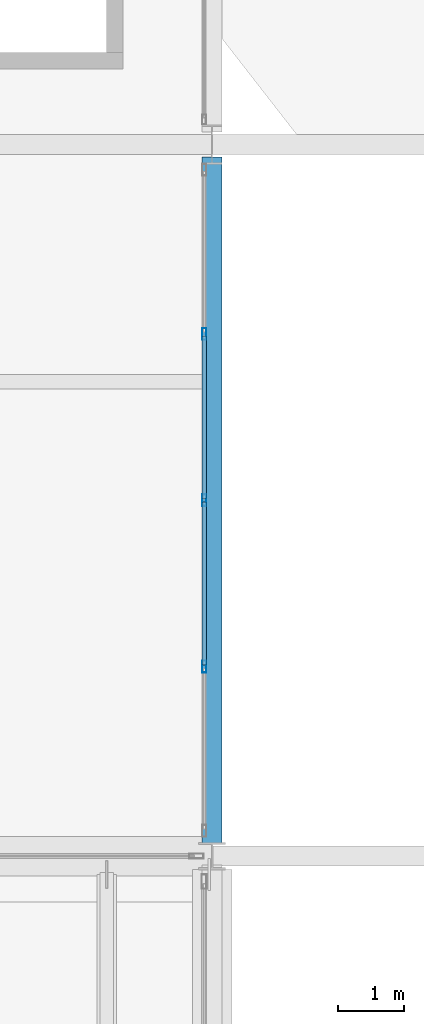
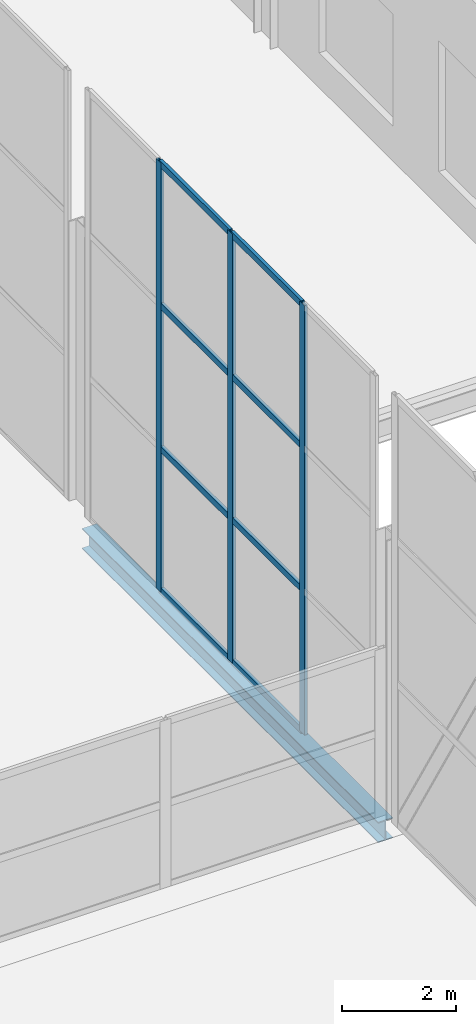
# One storey, part 113 of 191: 11 members, 1 beam, 1 element without a shape of its own.
"""IFC4 building model written with IfcOpenShell, lengths in metres."""

import ifcopenshell
import ifcopenshell.guid

model = None  # the IFC model being written
_history = None  # IfcOwnerHistory: only IFC2X3 demands one
_inside = {}  # id of a spatial element -> (the spatial element, [elements in it])
_under = {}  # id of a project, library or spatial element -> (it, [spatial elements below it])
_declared = {}  # id of a project -> (the project, [libraries it declares])
_typed = {}  # id of a type object -> (the type object, [elements of that type])
_made_of = {}  # id of a material, layer set ... -> (it, [elements and type objects made of it])


def new_model(schema):
    """Start an empty IFC model of exactly this schema.

    Asked for "IFC4X3", IfcOpenShell would pick the latest addendum, in which some entities
    have other attributes; the version numbers below select the first issue.
    IFC2X3 requires an IfcOwnerHistory on every rooted entity: one is made here for all.
    """
    global model, _history
    if schema == "IFC4X3":
        model = ifcopenshell.file(schema_version=(4, 3, 0, 0))
    else:
        model = ifcopenshell.file(schema=schema)
    _inside.clear()
    _under.clear()
    _declared.clear()
    _typed.clear()
    _made_of.clear()
    _history = None
    if model.schema == "IFC2X3":
        org = make("IfcOrganization", Name="unknown")
        user = make(
            "IfcPersonAndOrganization",
            ThePerson=make("IfcPerson", FamilyName="unknown"),
            TheOrganization=org,
        )
        app = make(
            "IfcApplication",
            ApplicationDeveloper=org,
            Version="unknown",
            ApplicationFullName="unknown",
            ApplicationIdentifier="unknown",
        )
        _history = make(
            "IfcOwnerHistory",
            OwningUser=user,
            OwningApplication=app,
            ChangeAction="ADDED",
            CreationDate=0,
        )
    return model


def make(cls, **values):
    """One entity of the class cls with the attributes given. An attribute that is None is left unset."""
    return model.create_entity(
        cls, **{name: value for name, value in values.items() if value is not None}
    )


def rooted(cls, **values):
    """An entity with a GlobalId (a new one), such as an element, a storey or a relation."""
    return make(cls, GlobalId=ifcopenshell.guid.new(), OwnerHistory=_history, **values)


def si_unit(unit_type, name, prefix=None):
    """IfcSIUnit, for example si_unit("LENGTHUNIT", "METRE", prefix="MILLI")."""
    return make("IfcSIUnit", UnitType=unit_type, Prefix=prefix, Name=name)


def assignment(units):
    """IfcUnitAssignment: the units of a project."""
    return None if units is None else make("IfcUnitAssignment", Units=units)


def point(xyz):
    """IfcCartesianPoint."""
    return None if xyz is None else make("IfcCartesianPoint", Coordinates=xyz)


def direction(xyz):
    """IfcDirection."""
    return None if xyz is None else make("IfcDirection", DirectionRatios=xyz)


def frame(location, z_axis=None, x_axis=None):
    """IfcAxis2Placement3D, a coordinate frame: its origin and axes. An axis left out is left unset."""
    return make(
        "IfcAxis2Placement3D",
        Location=point(location),
        Axis=direction(z_axis),
        RefDirection=direction(x_axis),
    )


def frame_2d(location, x_axis=None):
    """IfcAxis2Placement2D, a coordinate frame in the plane: its origin and x axis."""
    return make(
        "IfcAxis2Placement2D", Location=point(location), RefDirection=direction(x_axis)
    )


def origin():
    """The frame at (0, 0, 0) with its axes left unset."""
    return frame((0.0, 0.0, 0.0))


def origin_2d():
    """The frame at (0, 0) in the plane with its x axis left unset."""
    return frame_2d((0.0, 0.0))


def place(relative_to, where):
    """IfcLocalPlacement: puts the frame where relative to a parent placement (None: the world)."""
    return make(
        "IfcLocalPlacement", PlacementRelTo=relative_to, RelativePlacement=where
    )


def context(
    kind, dimensions, precision=None, world=None, true_north=None, identifier=None
):
    """IfcGeometricRepresentationContext, for example the 3D "Model" context."""
    return make(
        "IfcGeometricRepresentationContext",
        ContextIdentifier=identifier,
        ContextType=kind,
        CoordinateSpaceDimension=dimensions,
        Precision=precision,
        WorldCoordinateSystem=world,
        TrueNorth=true_north,
    )


def subcontext(parent, identifier, kind, view, scale=None):
    """IfcGeometricRepresentationSubContext, for example "Body" below "Model"."""
    return make(
        "IfcGeometricRepresentationSubContext",
        ContextIdentifier=identifier,
        ContextType=kind,
        ParentContext=parent,
        TargetScale=scale,
        TargetView=view,
    )


def project(units=None, contexts=None):
    """IfcProject with its units and contexts."""
    return rooted(
        "IfcProject",
        Name="project",
        RepresentationContexts=contexts,
        UnitsInContext=assignment(units),
    )


def spatial(cls, under=None, at=None, **own):
    """A site, building, storey or space (cls), placed at a placement, below another one or the project."""
    s = rooted(cls, ObjectPlacement=at, **own)
    if under is not None:
        _under.setdefault(under.id(), (under, []))[1].append(s)
    return s


def profile(cls, at=None, kind="AREA", **sizes):
    """A parametric profile (cls). Its sizes go by their IFC names, for example OverallWidth=200.0."""
    return make(cls, ProfileType=kind, Position=at, **sizes)


def hollow_rectangle(**sizes):
    """IfcRectangleHollowProfileDef."""
    return profile("IfcRectangleHollowProfileDef", **sizes)


def i_section(**sizes):
    """IfcIShapeProfileDef."""
    return profile("IfcIShapeProfileDef", **sizes)


def extrude(swept, where, along, depth):
    """IfcExtrudedAreaSolid: the profile swept, set in the frame where, extruded along a direction by depth."""
    return make(
        "IfcExtrudedAreaSolid",
        SweptArea=swept,
        Position=where,
        ExtrudedDirection=direction(along),
        Depth=depth,
    )


def shape(context_of_items, identifier, shape_type, items):
    """IfcShapeRepresentation: the items that make up one representation, for example the "Body"."""
    return make(
        "IfcShapeRepresentation",
        ContextOfItems=context_of_items,
        RepresentationIdentifier=identifier,
        RepresentationType=shape_type,
        Items=items,
    )


def material(Name=None, Category=None):
    """IfcMaterial."""
    return make("IfcMaterial", Name=Name, Category=Category)


def layer(
    of_material, thickness, ventilated=None, Name=None, Category=None, Priority=None
):
    """IfcMaterialLayer: one layer of a wall or slab, of a material (None: an air gap)."""
    return make(
        "IfcMaterialLayer",
        Material=of_material,
        LayerThickness=thickness,
        IsVentilated=ventilated,
        Name=Name,
        Category=Category,
        Priority=Priority,
    )


def layer_set(layers, Name=None):
    """IfcMaterialLayerSet."""
    return make("IfcMaterialLayerSet", MaterialLayers=layers, LayerSetName=Name)


def material_profile(
    of_material, cross_section, Name=None, Category=None, Priority=None
):
    """IfcMaterialProfile: a cross section and its material."""
    return make(
        "IfcMaterialProfile",
        Name=Name,
        Material=of_material,
        Profile=cross_section,
        Priority=Priority,
        Category=Category,
    )


def profile_set(profiles, Name=None, composite=None):
    """IfcMaterialProfileSet."""
    return make(
        "IfcMaterialProfileSet",
        Name=Name,
        MaterialProfiles=profiles,
        CompositeProfile=composite,
    )


def made_of(thing, what):
    """Note that an element or type object is made of a material, layer set ...; save() writes the relation."""
    if what is not None:
        _made_of.setdefault(what.id(), (what, []))[1].append(thing)
    return thing


def type_object(cls, material=None, **own):
    """A type object (cls), such as IfcWallType, which elements share."""
    return made_of(rooted(cls, **own), material)


def element(
    cls,
    number,
    at=None,
    inside=None,
    cuts=None,
    type_object=None,
    material=None,
    context=None,
    identifier="Body",
    shape_type=None,
    held_by="IfcProductDefinitionShape",
    body=None,
    shapes=None,
    **own,
):
    """One element of the class cls, such as IfcWall. Its Tag is "e" and its number.

    at: its placement. inside: the storey or other place that contains it. cuts: it is an
    opening in that element (IfcRelVoidsElement). A single representation is given by context,
    identifier, shape_type and body (its items); several are given by shapes. held_by: the class
    of the entity that holds the representations. save() writes the other relations.
    """
    e = rooted(cls, Tag="e%d" % number, ObjectPlacement=at, **own)
    if body is not None:
        shapes = [shape(context, identifier, shape_type, body)]
    if shapes is not None:
        e.Representation = make(held_by, Representations=shapes)
    if inside is not None:
        _inside.setdefault(inside.id(), (inside, []))[1].append(e)
    if cuts is not None:
        rooted(
            "IfcRelVoidsElement", RelatingBuildingElement=cuts, RelatedOpeningElement=e
        )
    if type_object is not None:
        _typed.setdefault(type_object.id(), (type_object, []))[1].append(e)
    return made_of(e, material)


def aggregate(whole, parts):
    """IfcRelAggregates: a whole, such as a stair, and the parts it consists of."""
    return rooted("IfcRelAggregates", RelatingObject=whole, RelatedObjects=parts)


def save(model, path):
    """Write the relations noted so far, then the file.

    IfcRelAggregates (storeys below a building ...), IfcRelContainedInSpatialStructure (elements
    in a storey), IfcRelDefinesByType, IfcRelAssociatesMaterial and IfcRelDeclares: one each for
    every whole, place, type object, material and project.
    """
    for whole, parts in _under.values():
        aggregate(whole, parts)
    for where, things in _inside.values():
        rooted(
            "IfcRelContainedInSpatialStructure",
            RelatedElements=things,
            RelatingStructure=where,
        )
    for kind, things in _typed.values():
        rooted("IfcRelDefinesByType", RelatedObjects=things, RelatingType=kind)
    for what, things in _made_of.values():
        rooted("IfcRelAssociatesMaterial", RelatedObjects=things, RelatingMaterial=what)
    for by, libraries in _declared.values():
        rooted("IfcRelDeclares", RelatingContext=by, RelatedDefinitions=libraries)
    model.write(path)


model = new_model("IFC4")

# Units and contexts
model_context = context("Model", 3, precision=1e-05, world=origin(), true_north=direction((0.0, 1.0)))
body_context = subcontext(model_context, "Body", "Model", "MODEL_VIEW")
ifc_project = project(units=[si_unit("LENGTHUNIT", "METRE"), si_unit("AREAUNIT", "SQUARE_METRE"), si_unit("VOLUMEUNIT", "CUBIC_METRE"), si_unit("PLANEANGLEUNIT", "RADIAN"), si_unit("MASSUNIT", "GRAM", prefix="KILO")], contexts=[model_context])

# Site, building, storey
site_placement = place(None, origin())
site = spatial("IfcSite", under=ifc_project, at=site_placement, CompositionType="ELEMENT")
building_placement = place(site_placement, origin())
building = spatial("IfcBuilding", under=site, at=building_placement, Name="Tamarisk Ironworks Central Station", CompositionType="ELEMENT")
storey_placement = place(building_placement, frame((0.0, 0.0, 6.60009765625)))
storey = spatial("IfcBuildingStorey", under=building, at=storey_placement, Name="L01", CompositionType="ELEMENT", Elevation=6.60009765625)

# Beam
ifc_material_1 = material(Name="Structural steel S355J2", Category="steel")
ifc_material_profile_1 = material_profile(ifc_material_1, i_section(OverallWidth=0.300048828125, OverallDepth=0.43994140625, WebThickness=0.011474609375, FlangeThickness=0.02099609375, at=origin_2d()), Name="HEA 450")
ifc_profile_set_1 = profile_set([ifc_material_profile_1], Name="Structural steel S355J2")
beam_type = type_object("IfcBeamType", Name="BM-G06", PredefinedType="BEAM", material=ifc_profile_set_1)
beam_placement = place(storey_placement, frame((108.0, 79.400390625, -0.52001953125), z_axis=(0.0, 1.0, 0.0), x_axis=(-1.0, 0.0, 0.0)))
element("IfcBeam", 1, at=beam_placement, inside=storey, type_object=beam_type, Name="L01 primary girder Y-0236", PredefinedType="BEAM", context=body_context, shape_type="SweptSolid", body=[
    extrude(i_section(OverallWidth=0.300048828125, OverallDepth=0.43994140625, WebThickness=0.011474609375, FlangeThickness=0.02099609375, at=origin_2d()), origin(), (0.0, 0.0, 1.0), 10.408203125),
])

# Curtain wall, members
ifc_material_2 = material(Name="Anodized aluminium alloy 6063-T6", Category="aluminium")
ifc_layer = layer(ifc_material_2, 0.179931640625)
ifc_layer_set = layer_set([ifc_layer], Name="Anodized aluminium alloy 6063-T6")
curtain_wall_type = type_object("IfcCurtainWallType", Name="CW-07", PredefinedType="USERDEFINED", material=ifc_layer_set)
curtain_wall_placement = place(storey_placement, origin())
curtain_wall = element("IfcCurtainWall", 2, at=curtain_wall_placement, inside=storey, type_object=curtain_wall_type, Name="Concourse E track-overlook curtain wall 06", ObjectType="GLAZED CURTAIN WALL", PredefinedType="USERDEFINED")
ifc_material_profile_2 = material_profile(ifc_material_2, hollow_rectangle(XDim=0.06494140625, YDim=0.179931640625, WallThickness=0.00390625, at=origin_2d()), Name="ALUM 180x65")
ifc_profile_set_2 = profile_set([ifc_material_profile_2], Name="Anodized aluminium alloy 6063-T6")
member_type_1 = type_object("IfcMemberType", Name="CWM-02", PredefinedType="MULLION", material=ifc_profile_set_2)
member_1_placement = place(storey_placement, frame((107.8798828125, 82.074951171875, 0.0), z_axis=(0.0, 0.0, 1.0), x_axis=(-1.0, 0.0, 0.0)))
member_1 = element("IfcMember", 3, at=member_1_placement, type_object=member_type_1, Name="CW07 mullion 2", PredefinedType="MULLION", context=body_context, shape_type="SweptSolid", body=[
    extrude(hollow_rectangle(XDim=0.06494140625, YDim=0.179931640625, WallThickness=0.00390625, at=origin_2d()), origin(), (0.0, 0.0, 1.0), 9.219970703125),
])
member_2_placement = place(storey_placement, frame((107.8798828125, 84.60009765625, 0.0), z_axis=(0.0, 0.0, 1.0), x_axis=(-1.0, 0.0, 0.0)))
member_2 = element("IfcMember", 4, at=member_2_placement, type_object=member_type_1, Name="CW07 mullion 3", PredefinedType="MULLION", context=body_context, shape_type="SweptSolid", body=[
    extrude(hollow_rectangle(XDim=0.06494140625, YDim=0.179931640625, WallThickness=0.00390625, at=origin_2d()), origin(), (0.0, 0.0, 1.0), 9.219970703125),
])
member_3_placement = place(storey_placement, frame((107.8798828125, 87.125, 0.0), z_axis=(0.0, 0.0, 1.0), x_axis=(-1.0, 0.0, 0.0)))
member_3 = element("IfcMember", 5, at=member_3_placement, type_object=member_type_1, Name="CW07 mullion 4", PredefinedType="MULLION", context=body_context, shape_type="SweptSolid", body=[
    extrude(hollow_rectangle(XDim=0.06494140625, YDim=0.179931640625, WallThickness=0.00390625, at=origin_2d()), origin(), (0.0, 0.0, 1.0), 9.219970703125),
])
ifc_material_profile_3 = material_profile(ifc_material_2, hollow_rectangle(XDim=0.06494140625, YDim=0.135009765625, WallThickness=0.00341796875, at=origin_2d()), Name="ALUM 135x65")
ifc_profile_set_3 = profile_set([ifc_material_profile_3], Name="Anodized aluminium alloy 6063-T6")
member_type_2 = type_object("IfcMemberType", Name="CWT-02", PredefinedType="USERDEFINED", material=ifc_profile_set_3)
member_4_placement = place(storey_placement, frame((107.8798828125, 82.103515625, 0.032470703125), z_axis=(0.0, 1.0, 0.0), x_axis=(-1.0, 0.0, 0.0)))
member_4 = element("IfcMember", 6, at=member_4_placement, type_object=member_type_2, Name="CW07 transom 2.1", ObjectType="TRANSOM", PredefinedType="USERDEFINED", context=body_context, shape_type="SweptSolid", body=[
    extrude(hollow_rectangle(XDim=0.06494140625, YDim=0.135009765625, WallThickness=0.00341796875, at=origin_2d()), origin(), (0.0, 0.0, 1.0), 2.468017578125),
])
member_5_placement = place(storey_placement, frame((107.8798828125, 82.103515625, 3.0732421875), z_axis=(0.0, 1.0, 0.0), x_axis=(-1.0, 0.0, 0.0)))
member_5 = element("IfcMember", 7, at=member_5_placement, type_object=member_type_2, Name="CW07 transom 2.2", ObjectType="TRANSOM", PredefinedType="USERDEFINED", context=body_context, shape_type="SweptSolid", body=[
    extrude(hollow_rectangle(XDim=0.06494140625, YDim=0.135009765625, WallThickness=0.00341796875, at=origin_2d()), origin(), (0.0, 0.0, 1.0), 2.468017578125),
])
member_6_placement = place(storey_placement, frame((107.8798828125, 82.103515625, 6.146484375), z_axis=(0.0, 1.0, 0.0), x_axis=(-1.0, 0.0, 0.0)))
member_6 = element("IfcMember", 8, at=member_6_placement, type_object=member_type_2, Name="CW07 transom 2.3", ObjectType="TRANSOM", PredefinedType="USERDEFINED", context=body_context, shape_type="SweptSolid", body=[
    extrude(hollow_rectangle(XDim=0.06494140625, YDim=0.135009765625, WallThickness=0.00341796875, at=origin_2d()), origin(), (0.0, 0.0, 1.0), 2.468017578125),
])
member_7_placement = place(storey_placement, frame((107.8798828125, 82.103515625, 9.1875), z_axis=(0.0, 1.0, 0.0), x_axis=(-1.0, 0.0, 0.0)))
member_7 = element("IfcMember", 9, at=member_7_placement, type_object=member_type_2, Name="CW07 transom 2.4", ObjectType="TRANSOM", PredefinedType="USERDEFINED", context=body_context, shape_type="SweptSolid", body=[
    extrude(hollow_rectangle(XDim=0.06494140625, YDim=0.135009765625, WallThickness=0.00341796875, at=origin_2d()), origin(), (0.0, 0.0, 1.0), 2.468017578125),
])
member_8_placement = place(storey_placement, frame((107.8798828125, 84.62841796875, 0.032470703125), z_axis=(0.0, 1.0, 0.0), x_axis=(-1.0, 0.0, 0.0)))
member_8 = element("IfcMember", 10, at=member_8_placement, type_object=member_type_2, Name="CW07 transom 3.1", ObjectType="TRANSOM", PredefinedType="USERDEFINED", context=body_context, shape_type="SweptSolid", body=[
    extrude(hollow_rectangle(XDim=0.06494140625, YDim=0.135009765625, WallThickness=0.00341796875, at=origin_2d()), origin(), (0.0, 0.0, 1.0), 2.468017578125),
])
member_9_placement = place(storey_placement, frame((107.8798828125, 84.62841796875, 3.0732421875), z_axis=(0.0, 1.0, 0.0), x_axis=(-1.0, 0.0, 0.0)))
member_9 = element("IfcMember", 11, at=member_9_placement, type_object=member_type_2, Name="CW07 transom 3.2", ObjectType="TRANSOM", PredefinedType="USERDEFINED", context=body_context, shape_type="SweptSolid", body=[
    extrude(hollow_rectangle(XDim=0.06494140625, YDim=0.135009765625, WallThickness=0.00341796875, at=origin_2d()), origin(), (0.0, 0.0, 1.0), 2.468017578125),
])
member_10_placement = place(storey_placement, frame((107.8798828125, 84.62841796875, 6.146484375), z_axis=(0.0, 1.0, 0.0), x_axis=(-1.0, 0.0, 0.0)))
member_10 = element("IfcMember", 12, at=member_10_placement, type_object=member_type_2, Name="CW07 transom 3.3", ObjectType="TRANSOM", PredefinedType="USERDEFINED", context=body_context, shape_type="SweptSolid", body=[
    extrude(hollow_rectangle(XDim=0.06494140625, YDim=0.135009765625, WallThickness=0.00341796875, at=origin_2d()), origin(), (0.0, 0.0, 1.0), 2.468017578125),
])
member_11_placement = place(storey_placement, frame((107.8798828125, 84.62841796875, 9.1875), z_axis=(0.0, 1.0, 0.0), x_axis=(-1.0, 0.0, 0.0)))
member_11 = element("IfcMember", 13, at=member_11_placement, type_object=member_type_2, Name="CW07 transom 3.4", ObjectType="TRANSOM", PredefinedType="USERDEFINED", context=body_context, shape_type="SweptSolid", body=[
    extrude(hollow_rectangle(XDim=0.06494140625, YDim=0.135009765625, WallThickness=0.00341796875, at=origin_2d()), origin(), (0.0, 0.0, 1.0), 2.468017578125),
])
aggregate(curtain_wall, [member_1, member_2, member_3, member_4, member_5, member_6, member_7, member_8, member_9, member_10, member_11])

save(model, "model.ifc")
